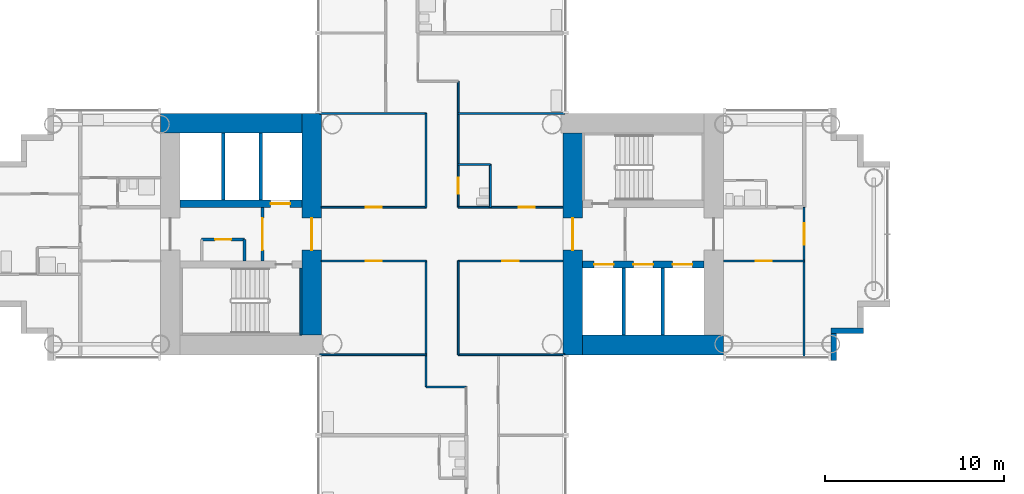
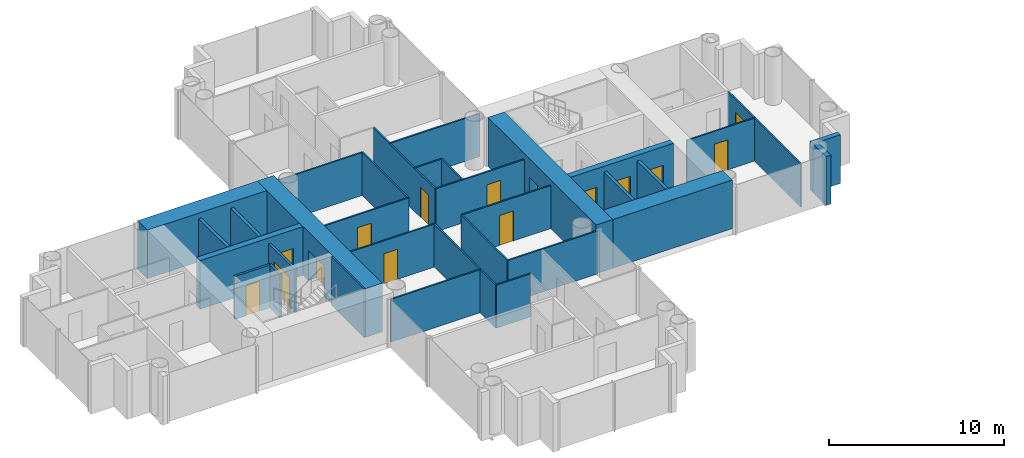
# One storey, part 10 of 21: 33 walls, 15 doors, 15 openings.
"""IFC4 building model written with IfcOpenShell, lengths in metres."""

import ifcopenshell
import ifcopenshell.guid

model = None  # the IFC model being written
_history = None  # IfcOwnerHistory: only IFC2X3 demands one
_inside = {}  # id of a spatial element -> (the spatial element, [elements in it])
_under = {}  # id of a project, library or spatial element -> (it, [spatial elements below it])
_declared = {}  # id of a project -> (the project, [libraries it declares])
_typed = {}  # id of a type object -> (the type object, [elements of that type])
_made_of = {}  # id of a material, layer set ... -> (it, [elements and type objects made of it])


def new_model(schema):
    """Start an empty IFC model of exactly this schema.

    Asked for "IFC4X3", IfcOpenShell would pick the latest addendum, in which some entities
    have other attributes; the version numbers below select the first issue.
    IFC2X3 requires an IfcOwnerHistory on every rooted entity: one is made here for all.
    """
    global model, _history
    if schema == "IFC4X3":
        model = ifcopenshell.file(schema_version=(4, 3, 0, 0))
    else:
        model = ifcopenshell.file(schema=schema)
    _inside.clear()
    _under.clear()
    _declared.clear()
    _typed.clear()
    _made_of.clear()
    _history = None
    if model.schema == "IFC2X3":
        org = make("IfcOrganization", Name="unknown")
        user = make(
            "IfcPersonAndOrganization",
            ThePerson=make("IfcPerson", FamilyName="unknown"),
            TheOrganization=org,
        )
        app = make(
            "IfcApplication",
            ApplicationDeveloper=org,
            Version="unknown",
            ApplicationFullName="unknown",
            ApplicationIdentifier="unknown",
        )
        _history = make(
            "IfcOwnerHistory",
            OwningUser=user,
            OwningApplication=app,
            ChangeAction="ADDED",
            CreationDate=0,
        )
    return model


def make(cls, **values):
    """One entity of the class cls with the attributes given. An attribute that is None is left unset."""
    return model.create_entity(
        cls, **{name: value for name, value in values.items() if value is not None}
    )


def rooted(cls, **values):
    """An entity with a GlobalId (a new one), such as an element, a storey or a relation."""
    return make(cls, GlobalId=ifcopenshell.guid.new(), OwnerHistory=_history, **values)


def si_unit(unit_type, name, prefix=None):
    """IfcSIUnit, for example si_unit("LENGTHUNIT", "METRE", prefix="MILLI")."""
    return make("IfcSIUnit", UnitType=unit_type, Prefix=prefix, Name=name)


def assignment(units):
    """IfcUnitAssignment: the units of a project."""
    return None if units is None else make("IfcUnitAssignment", Units=units)


def point(xyz):
    """IfcCartesianPoint."""
    return None if xyz is None else make("IfcCartesianPoint", Coordinates=xyz)


def direction(xyz):
    """IfcDirection."""
    return None if xyz is None else make("IfcDirection", DirectionRatios=xyz)


def frame(location, z_axis=None, x_axis=None):
    """IfcAxis2Placement3D, a coordinate frame: its origin and axes. An axis left out is left unset."""
    return make(
        "IfcAxis2Placement3D",
        Location=point(location),
        Axis=direction(z_axis),
        RefDirection=direction(x_axis),
    )


def frame_2d(location, x_axis=None):
    """IfcAxis2Placement2D, a coordinate frame in the plane: its origin and x axis."""
    return make(
        "IfcAxis2Placement2D", Location=point(location), RefDirection=direction(x_axis)
    )


def origin():
    """The frame at (0, 0, 0) with its axes left unset."""
    return frame((0.0, 0.0, 0.0))


def place(relative_to, where):
    """IfcLocalPlacement: puts the frame where relative to a parent placement (None: the world)."""
    return make(
        "IfcLocalPlacement", PlacementRelTo=relative_to, RelativePlacement=where
    )


def context(
    kind, dimensions, precision=None, world=None, true_north=None, identifier=None
):
    """IfcGeometricRepresentationContext, for example the 3D "Model" context."""
    return make(
        "IfcGeometricRepresentationContext",
        ContextIdentifier=identifier,
        ContextType=kind,
        CoordinateSpaceDimension=dimensions,
        Precision=precision,
        WorldCoordinateSystem=world,
        TrueNorth=true_north,
    )


def subcontext(parent, identifier, kind, view, scale=None):
    """IfcGeometricRepresentationSubContext, for example "Body" below "Model"."""
    return make(
        "IfcGeometricRepresentationSubContext",
        ContextIdentifier=identifier,
        ContextType=kind,
        ParentContext=parent,
        TargetScale=scale,
        TargetView=view,
    )


def project(units=None, contexts=None):
    """IfcProject with its units and contexts."""
    return rooted(
        "IfcProject",
        Name="project",
        RepresentationContexts=contexts,
        UnitsInContext=assignment(units),
    )


def spatial(cls, under=None, at=None, **own):
    """A site, building, storey or space (cls), placed at a placement, below another one or the project."""
    s = rooted(cls, ObjectPlacement=at, **own)
    if under is not None:
        _under.setdefault(under.id(), (under, []))[1].append(s)
    return s


def profile(cls, at=None, kind="AREA", **sizes):
    """A parametric profile (cls). Its sizes go by their IFC names, for example OverallWidth=200.0."""
    return make(cls, ProfileType=kind, Position=at, **sizes)


def rectangle(**sizes):
    """IfcRectangleProfileDef."""
    return profile("IfcRectangleProfileDef", **sizes)


def extrude(swept, where, along, depth):
    """IfcExtrudedAreaSolid: the profile swept, set in the frame where, extruded along a direction by depth."""
    return make(
        "IfcExtrudedAreaSolid",
        SweptArea=swept,
        Position=where,
        ExtrudedDirection=direction(along),
        Depth=depth,
    )


def shape(context_of_items, identifier, shape_type, items):
    """IfcShapeRepresentation: the items that make up one representation, for example the "Body"."""
    return make(
        "IfcShapeRepresentation",
        ContextOfItems=context_of_items,
        RepresentationIdentifier=identifier,
        RepresentationType=shape_type,
        Items=items,
    )


def material(Name=None, Category=None):
    """IfcMaterial."""
    return make("IfcMaterial", Name=Name, Category=Category)


def layer(
    of_material, thickness, ventilated=None, Name=None, Category=None, Priority=None
):
    """IfcMaterialLayer: one layer of a wall or slab, of a material (None: an air gap)."""
    return make(
        "IfcMaterialLayer",
        Material=of_material,
        LayerThickness=thickness,
        IsVentilated=ventilated,
        Name=Name,
        Category=Category,
        Priority=Priority,
    )


def layer_set(layers, Name=None):
    """IfcMaterialLayerSet."""
    return make("IfcMaterialLayerSet", MaterialLayers=layers, LayerSetName=Name)


def made_of(thing, what):
    """Note that an element or type object is made of a material, layer set ...; save() writes the relation."""
    if what is not None:
        _made_of.setdefault(what.id(), (what, []))[1].append(thing)
    return thing


def type_object(cls, material=None, **own):
    """A type object (cls), such as IfcWallType, which elements share."""
    return made_of(rooted(cls, **own), material)


def element(
    cls,
    number,
    at=None,
    inside=None,
    cuts=None,
    type_object=None,
    material=None,
    context=None,
    identifier="Body",
    shape_type=None,
    held_by="IfcProductDefinitionShape",
    body=None,
    shapes=None,
    **own,
):
    """One element of the class cls, such as IfcWall. Its Tag is "e" and its number.

    at: its placement. inside: the storey or other place that contains it. cuts: it is an
    opening in that element (IfcRelVoidsElement). A single representation is given by context,
    identifier, shape_type and body (its items); several are given by shapes. held_by: the class
    of the entity that holds the representations. save() writes the other relations.
    """
    e = rooted(cls, Tag="e%d" % number, ObjectPlacement=at, **own)
    if body is not None:
        shapes = [shape(context, identifier, shape_type, body)]
    if shapes is not None:
        e.Representation = make(held_by, Representations=shapes)
    if inside is not None:
        _inside.setdefault(inside.id(), (inside, []))[1].append(e)
    if cuts is not None:
        rooted(
            "IfcRelVoidsElement", RelatingBuildingElement=cuts, RelatedOpeningElement=e
        )
    if type_object is not None:
        _typed.setdefault(type_object.id(), (type_object, []))[1].append(e)
    return made_of(e, material)


def fill(opening, filler):
    """IfcRelFillsElement: the door or window that sits in an opening."""
    return rooted(
        "IfcRelFillsElement",
        RelatingOpeningElement=opening,
        RelatedBuildingElement=filler,
    )


def aggregate(whole, parts):
    """IfcRelAggregates: a whole, such as a stair, and the parts it consists of."""
    return rooted("IfcRelAggregates", RelatingObject=whole, RelatedObjects=parts)


def save(model, path):
    """Write the relations noted so far, then the file.

    IfcRelAggregates (storeys below a building ...), IfcRelContainedInSpatialStructure (elements
    in a storey), IfcRelDefinesByType, IfcRelAssociatesMaterial and IfcRelDeclares: one each for
    every whole, place, type object, material and project.
    """
    for whole, parts in _under.values():
        aggregate(whole, parts)
    for where, things in _inside.values():
        rooted(
            "IfcRelContainedInSpatialStructure",
            RelatedElements=things,
            RelatingStructure=where,
        )
    for kind, things in _typed.values():
        rooted("IfcRelDefinesByType", RelatedObjects=things, RelatingType=kind)
    for what, things in _made_of.values():
        rooted("IfcRelAssociatesMaterial", RelatedObjects=things, RelatingMaterial=what)
    for by, libraries in _declared.values():
        rooted("IfcRelDeclares", RelatingContext=by, RelatedDefinitions=libraries)
    model.write(path)


model = new_model("IFC4")

# Units and contexts
model_context = context("Model", 3, precision=1e-05, world=origin(), true_north=direction((0.0, 1.0)))
body_context = subcontext(model_context, "Body", "Model", "MODEL_VIEW")
ifc_project = project(units=[si_unit("LENGTHUNIT", "METRE"), si_unit("AREAUNIT", "SQUARE_METRE"), si_unit("VOLUMEUNIT", "CUBIC_METRE"), si_unit("PLANEANGLEUNIT", "RADIAN"), si_unit("MASSUNIT", "GRAM", prefix="KILO")], contexts=[model_context])

# Site, building, storey
site_placement = place(None, origin())
site = spatial("IfcSite", under=ifc_project, at=site_placement, CompositionType="ELEMENT")
building_placement = place(site_placement, origin())
building = spatial("IfcBuilding", under=site, at=building_placement, Name="Ipe Terrace Towers", CompositionType="ELEMENT")
storey_placement = place(building_placement, frame((0.0, 0.0, 48.300048828125)))
storey = spatial("IfcBuildingStorey", under=building, at=storey_placement, Name="L12", CompositionType="ELEMENT", Elevation=48.300048828125)

# Walls
ifc_material_1 = material(Name="Concrete C40/50 with buff precast cladding", Category="concrete")
ifc_layer_1 = layer(ifc_material_1, 0.320068359375)
ifc_layer_set_1 = layer_set([ifc_layer_1], Name="BUFF CLADDING WALL 320")
wall_type_1 = type_object("IfcWallType", Name="BUFF CLADDING WALL 320", PredefinedType="STANDARD", material=ifc_layer_set_1)
wall_1_placement = place(storey_placement, frame((-14.090087890625, -7.070068359375, -0.300048828125), z_axis=(0.0, 0.0, 1.0), x_axis=(0.0, 1.0, 0.0)))
element("IfcWall", 1, at=wall_1_placement, inside=storey, type_object=wall_type_1, Name="T1-W-L12-21a wall", PredefinedType="STANDARD", context=body_context, shape_type="SweptSolid", body=[
    extrude(rectangle(XDim=1.5, YDim=0.320068359375, at=frame_2d((0.75, 0.0))), origin(), (0.0, 0.0, 1.0), 3.39990234375),
])
wall_2_placement = place(storey_placement, frame((-14.25, -5.409912109375, -0.300048828125), z_axis=(0.0, 0.0, 1.0), x_axis=(1.0, 0.0, 0.0)))
element("IfcWall", 2, at=wall_2_placement, inside=storey, type_object=wall_type_1, Name="T1-W-L12-22a wall", PredefinedType="STANDARD", context=body_context, shape_type="SweptSolid", body=[
    extrude(rectangle(XDim=1.820068359375, YDim=0.320068359375, at=frame_2d((0.91015625, 0.0))), origin(), (0.0, 0.0, 1.0), 3.39990234375),
])
ifc_material_2 = material(Name="Gypsum board partition", Category="plasterboard")
ifc_layer_2 = layer(ifc_material_2, 0.10009765625)
ifc_layer_set_2 = layer_set([ifc_layer_2], Name="Gypsum board partition 100 mm")
wall_type_2 = type_object("IfcWallType", Name="Gypsum board partition 100 mm", PredefinedType="PARTITIONING", material=ifc_layer_set_2)
wall_3_placement = place(storey_placement, frame((-36.89990234375, -8.550048828125, 0.0), z_axis=(0.0, 0.0, 1.0), x_axis=(0.0, 1.0, 0.0)))
element("IfcWall", 3, at=wall_3_placement, inside=storey, type_object=wall_type_2, Name="Gypsum board partition T1 L12 W07", PredefinedType="PARTITIONING", context=body_context, shape_type="SweptSolid", body=[
    extrude(rectangle(XDim=7.050048828125, YDim=0.10009765625, at=frame_2d((3.52490234375, 0.0))), origin(), (0.0, 0.0, 1.0), 3.0),
])
for number, where, z_axis, x_axis, name in (
    (4, (-36.89990234375, 1.5, 0.0), (0.0, 0.0, 1.0), (0.0, 1.0, 0.0), "Gypsum board partition T1 L12 W08"),
    (5, (-35.10009765625, -6.75, 0.0), (0.0, 0.0, 1.0), (0.0, 1.0, 0.0), "Gypsum board partition T1 L12 W11"),
):
    element("IfcWall", number, at=place(storey_placement, frame(where, z_axis=z_axis, x_axis=x_axis)), inside=storey, type_object=wall_type_2, Name=name, PredefinedType="PARTITIONING", context=body_context, shape_type="SweptSolid", body=[
        extrude(rectangle(XDim=5.25, YDim=0.10009765625, at=frame_2d((2.625, 0.0))), origin(), (0.0, 0.0, 1.0), 3.0),
    ])

# Wall, opening, door
wall_4_placement = place(storey_placement, frame((-35.10009765625, 1.5, 0.0), z_axis=(0.0, 0.0, 1.0), x_axis=(0.0, 1.0, 0.0)))
wall_4 = element("IfcWall", 6, at=wall_4_placement, inside=storey, type_object=wall_type_2, Name="Gypsum board partition T1 L12 W12", PredefinedType="PARTITIONING", context=body_context, shape_type="SweptSolid", body=[
    extrude(rectangle(XDim=7.050048828125, YDim=0.10009765625, at=frame_2d((3.52490234375, 0.0))), origin(), (0.0, 0.0, 1.0), 3.0),
])
opening_1_placement = place(wall_4_placement, frame((0.75, 0.0, 0.0)))
opening_1 = element("IfcOpeningElement", 7, at=opening_1_placement, cuts=wall_4, Name="Opening T1-Z1C-01", PredefinedType="OPENING", context=body_context, shape_type="SweptSolid", body=[
    extrude(rectangle(XDim=0.89990234375, YDim=2.10009765625, at=frame_2d((0.449951171875, 1.050048828125))), frame((0.0, 0.06005859375, 0.0), z_axis=(0.0, -1.0, 0.0), x_axis=(1.0, 0.0, 0.0)), (0.0, 0.0, 1.0), 0.1201171875),
])
ifc_material_3 = material(Name="Timber door leaf", Category="wood")
door_type_1 = type_object("IfcDoorType", Name="Bathroom door 900 x 2100", OperationType="NOTDEFINED", PredefinedType="DOOR", material=ifc_material_3)
door_1_placement = place(opening_1_placement, origin())
door_1 = element("IfcDoor", 8, at=door_1_placement, inside=storey, type_object=door_type_1, Name="Bathroom door T1-Z1C-01", OperationType="SINGLE_SWING_LEFT", OverallHeight=2.10009765625, OverallWidth=0.89990234375, PredefinedType="DOOR", context=body_context, shape_type="SweptSolid", body=[
    extrude(rectangle(XDim=0.89990234375, YDim=2.10009765625, at=frame_2d((0.449951171875, 1.050048828125))), frame((0.0, 0.02490234375, 0.0), z_axis=(0.0, -1.0, 0.0), x_axis=(1.0, 0.0, 0.0)), (0.0, 0.0, 1.0), 0.050048828125),
])
fill(opening_1, door_1)

# Wall
wall_5_placement = place(storey_placement, frame((-33.300048828125, 1.5, 0.0), z_axis=(0.0, 0.0, 1.0), x_axis=(0.0, 1.0, 0.0)))
element("IfcWall", 9, at=wall_5_placement, inside=storey, type_object=wall_type_2, Name="Gypsum board partition T1 L12 W15", PredefinedType="PARTITIONING", context=body_context, shape_type="SweptSolid", body=[
    extrude(rectangle(XDim=2.39990234375, YDim=0.10009765625, at=frame_2d((1.199951171875, 0.0))), origin(), (0.0, 0.0, 1.0), 3.0),
])

# Wall, opening, door
wall_6_placement = place(storey_placement, frame((-15.75, -6.85009765625, 0.0), z_axis=(0.0, 0.0, 1.0), x_axis=(0.0, 1.0, 0.0)))
wall_6 = element("IfcWall", 10, at=wall_6_placement, inside=storey, type_object=wall_type_2, Name="Gypsum board partition T1 L12 W18", PredefinedType="PARTITIONING", context=body_context, shape_type="SweptSolid", body=[
    extrude(rectangle(XDim=8.35009765625, YDim=0.10009765625, at=frame_2d((4.175048828125, 0.0))), origin(), (0.0, 0.0, 1.0), 3.0),
])
opening_2_placement = place(wall_6_placement, frame((6.25, 0.0, 0.0)))
opening_2 = element("IfcOpeningElement", 11, at=opening_2_placement, cuts=wall_6, Name="Opening T1-Z1C-21", PredefinedType="OPENING", context=body_context, shape_type="SweptSolid", body=[
    extrude(rectangle(XDim=1.199951171875, YDim=2.10009765625, at=frame_2d((0.60009765625, 1.050048828125))), frame((0.0, 0.06005859375, 0.0), z_axis=(0.0, -1.0, 0.0), x_axis=(1.0, 0.0, 0.0)), (0.0, 0.0, 1.0), 0.1201171875),
])
ifc_material_4 = material(Name="Timber door leaf", Category="wood")
door_type_2 = type_object("IfcDoorType", Name="Lounge door 1200 x 2100", OperationType="NOTDEFINED", PredefinedType="DOOR", material=ifc_material_4)
door_2_placement = place(opening_2_placement, origin())
door_2 = element("IfcDoor", 12, at=door_2_placement, inside=storey, type_object=door_type_2, Name="Lounge door T1-Z1C-21", OperationType="SINGLE_SWING_RIGHT", OverallHeight=2.10009765625, OverallWidth=1.199951171875, PredefinedType="DOOR", context=body_context, shape_type="SweptSolid", body=[
    extrude(rectangle(XDim=1.199951171875, YDim=2.10009765625, at=frame_2d((0.60009765625, 1.050048828125))), frame((0.0, 0.02490234375, 0.0), z_axis=(0.0, -1.0, 0.0), x_axis=(1.0, 0.0, 0.0)), (0.0, 0.0, 1.0), 0.050048828125),
])
fill(opening_2, door_2)

# Walls
wall_7_placement = place(storey_placement, frame((-36.89990234375, -8.550048828125, 0.0), z_axis=(0.0, 0.0, 1.0), x_axis=(1.0, 0.0, 0.0)))
element("IfcWall", 13, at=wall_7_placement, inside=storey, type_object=wall_type_2, Name="Gypsum board partition T1 L12 W25", PredefinedType="PARTITIONING", context=body_context, shape_type="SweptSolid", body=[
    extrude(rectangle(XDim=2.25, YDim=0.10009765625, at=frame_2d((1.125, 0.0))), origin(), (0.0, 0.0, 1.0), 3.0),
])
for number, where, z_axis, x_axis, name in (
    (14, (-42.85009765625, -6.75, 0.0), (0.0, 0.0, 1.0), (1.0, 0.0, 0.0), "Gypsum board partition T1 L12 W26"),
    (15, (-35.10009765625, -6.75, 0.0), (0.0, 0.0, 1.0), (1.0, 0.0, 0.0), "Gypsum board partition T1 L12 W27"),
):
    element("IfcWall", number, at=place(storey_placement, frame(where, z_axis=z_axis, x_axis=x_axis)), inside=storey, type_object=wall_type_2, Name=name, PredefinedType="PARTITIONING", context=body_context, shape_type="SweptSolid", body=[
        extrude(rectangle(XDim=5.9501953125, YDim=0.10009765625, at=frame_2d((2.97509765625, 0.0))), origin(), (0.0, 0.0, 1.0), 3.0),
    ])

# Wall, opening, door
wall_8_placement = place(storey_placement, frame((-42.75, -1.5, 0.0), z_axis=(0.0, 0.0, 1.0), x_axis=(1.0, 0.0, 0.0)))
wall_8 = element("IfcWall", 16, at=wall_8_placement, inside=storey, type_object=wall_type_2, Name="Gypsum board partition T1 L12 W30", PredefinedType="PARTITIONING", context=body_context, shape_type="SweptSolid", body=[
    extrude(rectangle(XDim=5.85009765625, YDim=0.10009765625, at=frame_2d((2.925048828125, 0.0))), origin(), (0.0, 0.0, 1.0), 3.0),
])
opening_3_placement = place(wall_8_placement, frame((2.47509765625, 0.0, 0.0)))
opening_3 = element("IfcOpeningElement", 17, at=opening_3_placement, cuts=wall_8, Name="Opening T1-Z1C-04", PredefinedType="OPENING", context=body_context, shape_type="SweptSolid", body=[
    extrude(rectangle(XDim=0.89990234375, YDim=2.10009765625, at=frame_2d((0.449951171875, 1.050048828125))), frame((0.0, 0.06005859375, 0.0), z_axis=(0.0, -1.0, 0.0), x_axis=(1.0, 0.0, 0.0)), (0.0, 0.0, 1.0), 0.1201171875),
])
ifc_material_5 = material(Name="Timber door leaf", Category="wood")
door_type_3 = type_object("IfcDoorType", Name="Lounge door 900 x 2100", OperationType="NOTDEFINED", PredefinedType="DOOR", material=ifc_material_5)
door_3_placement = place(opening_3_placement, origin())
door_3 = element("IfcDoor", 18, at=door_3_placement, inside=storey, type_object=door_type_3, Name="Lounge door T1-Z1C-04", OperationType="SINGLE_SWING_LEFT", OverallHeight=2.10009765625, OverallWidth=0.89990234375, PredefinedType="DOOR", context=body_context, shape_type="SweptSolid", body=[
    extrude(rectangle(XDim=0.89990234375, YDim=2.10009765625, at=frame_2d((0.449951171875, 1.050048828125))), frame((0.0, 0.02490234375, 0.0), z_axis=(0.0, -1.0, 0.0), x_axis=(1.0, 0.0, 0.0)), (0.0, 0.0, 1.0), 0.050048828125),
])
fill(opening_3, door_3)

wall_9_placement = place(storey_placement, frame((-35.10009765625, -1.5, 0.0), z_axis=(0.0, 0.0, 1.0), x_axis=(1.0, 0.0, 0.0)))
wall_9 = element("IfcWall", 19, at=wall_9_placement, inside=storey, type_object=wall_type_2, Name="Gypsum board partition T1 L12 W31", PredefinedType="PARTITIONING", context=body_context, shape_type="SweptSolid", body=[
    extrude(rectangle(XDim=5.85009765625, YDim=0.10009765625, at=frame_2d((2.925048828125, 0.0))), origin(), (0.0, 0.0, 1.0), 3.0),
])
opening_4_placement = place(wall_9_placement, frame((2.47509765625, 0.0, 0.0)))
opening_4 = element("IfcOpeningElement", 20, at=opening_4_placement, cuts=wall_9, Name="Opening T1-Z1C-05", PredefinedType="OPENING", context=body_context, shape_type="SweptSolid", body=[
    extrude(rectangle(XDim=0.89990234375, YDim=2.10009765625, at=frame_2d((0.449951171875, 1.050048828125))), frame((0.0, 0.06005859375, 0.0), z_axis=(0.0, -1.0, 0.0), x_axis=(1.0, 0.0, 0.0)), (0.0, 0.0, 1.0), 0.1201171875),
])
door_4_placement = place(opening_4_placement, origin())
door_4 = element("IfcDoor", 21, at=door_4_placement, inside=storey, type_object=door_type_3, Name="Lounge door T1-Z1C-05", OperationType="SINGLE_SWING_RIGHT", OverallHeight=2.10009765625, OverallWidth=0.89990234375, PredefinedType="DOOR", context=body_context, shape_type="SweptSolid", body=[
    extrude(rectangle(XDim=0.89990234375, YDim=2.10009765625, at=frame_2d((0.449951171875, 1.050048828125))), frame((0.0, 0.02490234375, 0.0), z_axis=(0.0, -1.0, 0.0), x_axis=(1.0, 0.0, 0.0)), (0.0, 0.0, 1.0), 0.050048828125),
])
fill(opening_4, door_4)

wall_10_placement = place(storey_placement, frame((-20.25, -1.5, 0.0), z_axis=(0.0, 0.0, 1.0), x_axis=(1.0, 0.0, 0.0)))
wall_10 = element("IfcWall", 22, at=wall_10_placement, inside=storey, type_object=wall_type_2, Name="Gypsum board partition T1 L12 W32", PredefinedType="PARTITIONING", context=body_context, shape_type="SweptSolid", body=[
    extrude(rectangle(XDim=4.5, YDim=0.10009765625, at=frame_2d((2.25, 0.0))), origin(), (0.0, 0.0, 1.0), 3.0),
])
opening_5_placement = place(wall_10_placement, frame((1.800048828125, 0.0, 0.0)))
opening_5 = element("IfcOpeningElement", 23, at=opening_5_placement, cuts=wall_10, Name="Opening T1-Z1C-20", PredefinedType="OPENING", context=body_context, shape_type="SweptSolid", body=[
    extrude(rectangle(XDim=0.89990234375, YDim=2.10009765625, at=frame_2d((0.449951171875, 1.050048828125))), frame((0.0, 0.06005859375, 0.0), z_axis=(0.0, -1.0, 0.0), x_axis=(1.0, 0.0, 0.0)), (0.0, 0.0, 1.0), 0.1201171875),
])
door_5_placement = place(opening_5_placement, origin())
door_5 = element("IfcDoor", 24, at=door_5_placement, inside=storey, type_object=door_type_3, Name="Lounge door T1-Z1C-20", OperationType="SINGLE_SWING_RIGHT", OverallHeight=2.10009765625, OverallWidth=0.89990234375, PredefinedType="DOOR", context=body_context, shape_type="SweptSolid", body=[
    extrude(rectangle(XDim=0.89990234375, YDim=2.10009765625, at=frame_2d((0.449951171875, 1.050048828125))), frame((0.0, 0.02490234375, 0.0), z_axis=(0.0, -1.0, 0.0), x_axis=(1.0, 0.0, 0.0)), (0.0, 0.0, 1.0), 0.050048828125),
])
fill(opening_5, door_5)

wall_11_placement = place(storey_placement, frame((-42.75, 1.5, 0.0), z_axis=(0.0, 0.0, 1.0), x_axis=(1.0, 0.0, 0.0)))
wall_11 = element("IfcWall", 25, at=wall_11_placement, inside=storey, type_object=wall_type_2, Name="Gypsum board partition T1 L12 W34", PredefinedType="PARTITIONING", context=body_context, shape_type="SweptSolid", body=[
    extrude(rectangle(XDim=5.85009765625, YDim=0.10009765625, at=frame_2d((2.925048828125, 0.0))), origin(), (0.0, 0.0, 1.0), 3.0),
])
opening_6_placement = place(wall_11_placement, frame((2.47509765625, 0.0, 0.0)))
opening_6 = element("IfcOpeningElement", 26, at=opening_6_placement, cuts=wall_11, Name="Opening T1-Z1C-03", PredefinedType="OPENING", context=body_context, shape_type="SweptSolid", body=[
    extrude(rectangle(XDim=0.89990234375, YDim=2.10009765625, at=frame_2d((0.449951171875, 1.050048828125))), frame((0.0, 0.06005859375, 0.0), z_axis=(0.0, -1.0, 0.0), x_axis=(1.0, 0.0, 0.0)), (0.0, 0.0, 1.0), 0.1201171875),
])
door_6_placement = place(opening_6_placement, origin())
door_6 = element("IfcDoor", 27, at=door_6_placement, inside=storey, type_object=door_type_3, Name="Lounge door T1-Z1C-03", OperationType="SINGLE_SWING_RIGHT", OverallHeight=2.10009765625, OverallWidth=0.89990234375, PredefinedType="DOOR", context=body_context, shape_type="SweptSolid", body=[
    extrude(rectangle(XDim=0.89990234375, YDim=2.10009765625, at=frame_2d((0.449951171875, 1.050048828125))), frame((0.0, 0.02490234375, 0.0), z_axis=(0.0, -1.0, 0.0), x_axis=(1.0, 0.0, 0.0)), (0.0, 0.0, 1.0), 0.050048828125),
])
fill(opening_6, door_6)

wall_12_placement = place(storey_placement, frame((-35.10009765625, 1.5, 0.0), z_axis=(0.0, 0.0, 1.0), x_axis=(1.0, 0.0, 0.0)))
wall_12 = element("IfcWall", 28, at=wall_12_placement, inside=storey, type_object=wall_type_2, Name="Gypsum board partition T1 L12 W35", PredefinedType="PARTITIONING", context=body_context, shape_type="SweptSolid", body=[
    extrude(rectangle(XDim=5.85009765625, YDim=0.10009765625, at=frame_2d((2.925048828125, 0.0))), origin(), (0.0, 0.0, 1.0), 3.0),
])
opening_7_placement = place(wall_12_placement, frame((3.375, 0.0, 0.0)))
opening_7 = element("IfcOpeningElement", 29, at=opening_7_placement, cuts=wall_12, Name="Opening T1-Z1C-02", PredefinedType="OPENING", context=body_context, shape_type="SweptSolid", body=[
    extrude(rectangle(XDim=0.89990234375, YDim=2.10009765625, at=frame_2d((0.449951171875, 1.050048828125))), frame((0.0, 0.06005859375, 0.0), z_axis=(0.0, -1.0, 0.0), x_axis=(1.0, 0.0, 0.0)), (0.0, 0.0, 1.0), 0.1201171875),
])
door_7_placement = place(opening_7_placement, origin())
door_7 = element("IfcDoor", 30, at=door_7_placement, inside=storey, type_object=door_type_3, Name="Lounge door T1-Z1C-02", OperationType="SINGLE_SWING_LEFT", OverallHeight=2.10009765625, OverallWidth=0.89990234375, PredefinedType="DOOR", context=body_context, shape_type="SweptSolid", body=[
    extrude(rectangle(XDim=0.89990234375, YDim=2.10009765625, at=frame_2d((0.449951171875, 1.050048828125))), frame((0.0, 0.02490234375, 0.0), z_axis=(0.0, -1.0, 0.0), x_axis=(1.0, 0.0, 0.0)), (0.0, 0.0, 1.0), 0.050048828125),
])
fill(opening_7, door_7)

# Walls
wall_13_placement = place(storey_placement, frame((-35.10009765625, 3.89990234375, 0.0), z_axis=(0.0, 0.0, 1.0), x_axis=(1.0, 0.0, 0.0)))
element("IfcWall", 31, at=wall_13_placement, inside=storey, type_object=wall_type_2, Name="Gypsum board partition T1 L12 W41", PredefinedType="PARTITIONING", context=body_context, shape_type="SweptSolid", body=[
    extrude(rectangle(XDim=1.800048828125, YDim=0.10009765625, at=frame_2d((0.89990234375, 0.0))), origin(), (0.0, 0.0, 1.0), 3.0),
])
for number, where, z_axis, x_axis, name in (
    (32, (-42.85009765625, 6.75, 0.0), (0.0, 0.0, 1.0), (1.0, 0.0, 0.0), "Gypsum board partition T1 L12 W42"),
    (33, (-35.10009765625, 6.75, 0.0), (0.0, 0.0, 1.0), (1.0, 0.0, 0.0), "Gypsum board partition T1 L12 W43"),
):
    element("IfcWall", number, at=place(storey_placement, frame(where, z_axis=z_axis, x_axis=x_axis)), inside=storey, type_object=wall_type_2, Name=name, PredefinedType="PARTITIONING", context=body_context, shape_type="SweptSolid", body=[
        extrude(rectangle(XDim=5.9501953125, YDim=0.10009765625, at=frame_2d((2.97509765625, 0.0))), origin(), (0.0, 0.0, 1.0), 3.0),
    ])

# Wall, opening, door
ifc_material_6 = material(Name="Gypsum board partition", Category="plasterboard")
ifc_layer_3 = layer(ifc_material_6, 0.14990234375)
ifc_layer_set_3 = layer_set([ifc_layer_3], Name="Gypsum board partition 150 mm")
wall_type_3 = type_object("IfcWallType", Name="Gypsum board partition 150 mm", PredefinedType="PARTITIONING", material=ifc_layer_set_3)
wall_14_placement = place(storey_placement, frame((-46.050048828125, 1.5, 0.0), z_axis=(0.0, 0.0, 1.0), x_axis=(0.0, -1.0, 0.0)))
wall_14 = element("IfcWall", 34, at=wall_14_placement, inside=storey, type_object=wall_type_3, Name="Gypsum board partition T1 L12 t1c2-lobby-wall", PredefinedType="PARTITIONING", context=body_context, shape_type="SweptSolid", body=[
    extrude(rectangle(XDim=3.0, YDim=0.14990234375, at=frame_2d((1.5, 0.0))), origin(), (0.0, 0.0, 1.0), 3.0),
])
opening_8_placement = place(wall_14_placement, frame((0.60009765625, 0.0, 0.0)))
opening_8 = element("IfcOpeningElement", 35, at=opening_8_placement, cuts=wall_14, Name="Opening T1C2-VD", PredefinedType="OPENING", context=body_context, shape_type="SweptSolid", body=[
    extrude(rectangle(XDim=1.800048828125, YDim=2.10009765625, at=frame_2d((0.89990234375, 1.050048828125))), frame((0.0, 0.0849609375, 0.0), z_axis=(0.0, -1.0, 0.0), x_axis=(1.0, 0.0, 0.0)), (0.0, 0.0, 1.0), 0.169921875),
])
ifc_material_7 = material(Name="Fire-rated timber door leaf", Category="wood")
door_type_4 = type_object("IfcDoorType", Name="Lobby door 1800 x 2100 FD60", OperationType="NOTDEFINED", PredefinedType="DOOR", material=ifc_material_7)
door_8_placement = place(opening_8_placement, origin())
door_8 = element("IfcDoor", 36, at=door_8_placement, inside=storey, type_object=door_type_4, Name="Lobby door T1C2-VD", OperationType="SINGLE_SWING_LEFT", OverallHeight=2.10009765625, OverallWidth=1.800048828125, PredefinedType="DOOR", context=body_context, shape_type="SweptSolid", body=[
    extrude(rectangle(XDim=1.800048828125, YDim=2.10009765625, at=frame_2d((0.89990234375, 1.050048828125))), frame((0.0, 0.02490234375, 0.0), z_axis=(0.0, -1.0, 0.0), x_axis=(1.0, 0.0, 0.0)), (0.0, 0.0, 1.0), 0.050048828125),
])
fill(opening_8, door_8)

wall_15_placement = place(storey_placement, frame((-47.050048828125, -0.300048828125, 0.0), z_axis=(0.0, 0.0, 1.0), x_axis=(-1.0, 0.0, 0.0)))
wall_15 = element("IfcWall", 37, at=wall_15_placement, inside=storey, type_object=wall_type_3, Name="Gypsum board partition T1 L12 t1c2-cup-n-f", PredefinedType="PARTITIONING", context=body_context, shape_type="SweptSolid", body=[
    extrude(rectangle(XDim=2.39990234375, YDim=0.14990234375, at=frame_2d((1.199951171875, 0.0))), origin(), (0.0, 0.0, 1.0), 3.0),
])
opening_9_placement = place(wall_15_placement, frame((0.75, 0.0, 0.0)))
opening_9 = element("IfcOpeningElement", 38, at=opening_9_placement, cuts=wall_15, Name="Opening T1C2-SR", PredefinedType="OPENING", context=body_context, shape_type="SweptSolid", body=[
    extrude(rectangle(XDim=0.89990234375, YDim=2.10009765625, at=frame_2d((0.449951171875, 1.050048828125))), frame((0.0, 0.0849609375, 0.0), z_axis=(0.0, -1.0, 0.0), x_axis=(1.0, 0.0, 0.0)), (0.0, 0.0, 1.0), 0.169921875),
])
ifc_material_8 = material(Name="Fire-rated timber door leaf", Category="wood")
door_type_5 = type_object("IfcDoorType", Name="Service door 900 x 2100 FD60", OperationType="NOTDEFINED", PredefinedType="DOOR", material=ifc_material_8)
door_9_placement = place(opening_9_placement, origin())
door_9 = element("IfcDoor", 39, at=door_9_placement, inside=storey, type_object=door_type_5, Name="Service door T1C2-SR", OperationType="SINGLE_SWING_LEFT", OverallHeight=2.10009765625, OverallWidth=0.89990234375, PredefinedType="DOOR", context=body_context, shape_type="SweptSolid", body=[
    extrude(rectangle(XDim=0.89990234375, YDim=2.10009765625, at=frame_2d((0.449951171875, 1.050048828125))), frame((0.0, 0.02490234375, 0.0), z_axis=(0.0, -1.0, 0.0), x_axis=(1.0, 0.0, 0.0)), (0.0, 0.0, 1.0), 0.050048828125),
])
fill(opening_9, door_9)

# Walls
wall_16_placement = place(storey_placement, frame((-47.050048828125, -0.300048828125, 0.0), z_axis=(0.0, 0.0, 1.0), x_axis=(0.0, -1.0, 0.0)))
element("IfcWall", 40, at=wall_16_placement, inside=storey, type_object=wall_type_3, Name="Gypsum board partition T1 L12 t1c2-cup-n-a", PredefinedType="PARTITIONING", context=body_context, shape_type="SweptSolid", body=[
    extrude(rectangle(XDim=1.199951171875, YDim=0.14990234375, at=frame_2d((0.60009765625, 0.0))), origin(), (0.0, 0.0, 1.0), 3.0),
])
ifc_material_9 = material(Name="Gypsum board party wall", Category="plasterboard")
ifc_layer_4 = layer(ifc_material_9, 0.199951171875)
ifc_layer_set_4 = layer_set([ifc_layer_4], Name="Gypsum board party wall 200 mm")
wall_type_4 = type_object("IfcWallType", Name="Gypsum board party wall 200 mm", PredefinedType="SOLIDWALL", material=ifc_layer_set_4)
for number, where, z_axis, x_axis, name in (
    (41, (-25.85009765625, -5.64990234375, 0.0), (0.0, 0.0, 1.0), (0.0, 1.0, 0.0), "Gypsum board party wall T1 L12 t1c1-shaft-div1"),
    (42, (-23.64990234375, -5.64990234375, 0.0), (0.0, 0.0, 1.0), (0.0, 1.0, 0.0), "Gypsum board party wall T1 L12 t1c1-shaft-div2"),
    (43, (-46.14990234375, 5.64990234375, 0.0), (0.0, 0.0, 1.0), (0.0, -1.0, 0.0), "Gypsum board party wall T1 L12 t1c2-shaft-div1"),
    (44, (-48.25, 5.64990234375, 0.0), (0.0, 0.0, 1.0), (0.0, -1.0, 0.0), "Gypsum board party wall T1 L12 t1c2-shaft-div2"),
):
    element("IfcWall", number, at=place(storey_placement, frame(where, z_axis=z_axis, x_axis=x_axis)), inside=storey, type_object=wall_type_4, Name=name, PredefinedType="SOLIDWALL", context=body_context, shape_type="SweptSolid", body=[
        extrude(rectangle(XDim=3.75, YDim=0.199951171875, at=frame_2d((1.875, 0.0))), origin(), (0.0, 0.0, 1.0), 3.0),
    ])
ifc_material_10 = material(Name="Concrete C60/75", Category="concrete")
ifc_layer_5 = layer(ifc_material_10, 0.10009765625)
ifc_layer_set_5 = layer_set([ifc_layer_5], Name="RW100 CORE INFILL WALL 100 C60-75")
wall_type_5 = type_object("IfcWallType", Name="RW100 CORE INFILL WALL 100 C60-75", PredefinedType="SHEAR", material=ifc_layer_set_5)
wall_17_placement = place(storey_placement, frame((-43.89990234375, -1.89990234375, 0.0), z_axis=(0.0, 0.0, 1.0), x_axis=(0.0, -1.0, 0.0)))
element("IfcWall", 45, at=wall_17_placement, inside=storey, type_object=wall_type_5, Name="Core infill wall T1-C2-near", PredefinedType="SHEAR", context=body_context, shape_type="SweptSolid", body=[
    extrude(rectangle(XDim=3.75, YDim=0.10009765625, at=frame_2d((1.875, 0.0))), origin(), (0.0, 0.0, 1.0), 3.39990234375),
])
ifc_material_11 = material(Name="Concrete C60/75", Category="concrete")
ifc_layer_6 = layer(ifc_material_11, 1.10009765625)
ifc_layer_set_6 = layer_set([ifc_layer_6], Name="RW1100 CORE WALL 1100 C60-75")
wall_type_6 = type_object("IfcWallType", Name="RW1100 CORE WALL 1100 C60-75", PredefinedType="SHEAR", material=ifc_layer_set_6)
wall_18_placement = place(storey_placement, frame((-28.14990234375, -6.199951171875, 0.0), z_axis=(0.0, 0.0, 1.0), x_axis=(1.0, 0.0, 0.0)))
element("IfcWall", 46, at=wall_18_placement, inside=storey, type_object=wall_type_6, Name="Core wall T1-C1-Z1-W01", PredefinedType="SHEAR", context=body_context, shape_type="SweptSolid", body=[
    extrude(rectangle(XDim=7.89990234375, YDim=1.10009765625, at=frame_2d((3.949951171875, 0.0))), origin(), (0.0, 0.0, 1.0), 3.39990234375),
])

# Wall, opening, door
wall_19_placement = place(storey_placement, frame((-28.699951171875, 5.64990234375, 0.0), z_axis=(0.0, 0.0, 1.0), x_axis=(0.0, -1.0, 0.0)))
wall_19 = element("IfcWall", 47, at=wall_19_placement, inside=storey, type_object=wall_type_6, Name="Core wall T1-C1-Z1-W04", PredefinedType="SHEAR", context=body_context, shape_type="SweptSolid", body=[
    extrude(rectangle(XDim=12.39990234375, YDim=1.10009765625, at=frame_2d((6.199951171875, 0.0))), origin(), (0.0, 0.0, 1.0), 3.39990234375),
])
opening_10_placement = place(wall_19_placement, frame((4.75, 0.0, 0.0)))
opening_10 = element("IfcOpeningElement", 48, at=opening_10_placement, cuts=wall_19, Name="Opening T1C1-ND", PredefinedType="OPENING", context=body_context, shape_type="SweptSolid", body=[
    extrude(rectangle(XDim=1.800048828125, YDim=2.10009765625, at=frame_2d((0.89990234375, 1.050048828125))), frame((0.0, 0.56005859375, 0.0), z_axis=(0.0, -1.0, 0.0), x_axis=(1.0, 0.0, 0.0)), (0.0, 0.0, 1.0), 1.1201171875),
])
ifc_material_12 = material(Name="Fire-rated timber door leaf", Category="wood")
door_type_6 = type_object("IfcDoorType", Name="Fire door 1800 x 2100 FD30S", OperationType="NOTDEFINED", PredefinedType="DOOR", material=ifc_material_12)
door_10_placement = place(opening_10_placement, origin())
door_10 = element("IfcDoor", 49, at=door_10_placement, inside=storey, type_object=door_type_6, Name="Fire door T1C1-ND", OperationType="SINGLE_SWING_LEFT", OverallHeight=2.10009765625, OverallWidth=1.800048828125, PredefinedType="DOOR", context=body_context, shape_type="SweptSolid", body=[
    extrude(rectangle(XDim=1.800048828125, YDim=2.10009765625, at=frame_2d((0.89990234375, 1.050048828125))), frame((0.0, 0.02490234375, 0.0), z_axis=(0.0, -1.0, 0.0), x_axis=(1.0, 0.0, 0.0)), (0.0, 0.0, 1.0), 0.050048828125),
])
fill(opening_10, door_10)

wall_20_placement = place(storey_placement, frame((-43.300048828125, -5.64990234375, 0.0), z_axis=(0.0, 0.0, 1.0), x_axis=(0.0, 1.0, 0.0)))
wall_20 = element("IfcWall", 50, at=wall_20_placement, inside=storey, type_object=wall_type_6, Name="Core wall T1-C2-Z1-W02", PredefinedType="SHEAR", context=body_context, shape_type="SweptSolid", body=[
    extrude(rectangle(XDim=12.39990234375, YDim=1.10009765625, at=frame_2d((6.199951171875, 0.0))), origin(), (0.0, 0.0, 1.0), 3.39990234375),
])
opening_11_placement = place(wall_20_placement, frame((4.75, 0.0, 0.0)))
opening_11 = element("IfcOpeningElement", 51, at=opening_11_placement, cuts=wall_20, Name="Opening T1C2-ND", PredefinedType="OPENING", context=body_context, shape_type="SweptSolid", body=[
    extrude(rectangle(XDim=1.800048828125, YDim=2.10009765625, at=frame_2d((0.89990234375, 1.050048828125))), frame((0.0, 0.56005859375, 0.0), z_axis=(0.0, -1.0, 0.0), x_axis=(1.0, 0.0, 0.0)), (0.0, 0.0, 1.0), 1.1201171875),
])
door_11_placement = place(opening_11_placement, origin())
door_11 = element("IfcDoor", 52, at=door_11_placement, inside=storey, type_object=door_type_6, Name="Fire door T1C2-ND", OperationType="SINGLE_SWING_LEFT", OverallHeight=2.10009765625, OverallWidth=1.800048828125, PredefinedType="DOOR", context=body_context, shape_type="SweptSolid", body=[
    extrude(rectangle(XDim=1.800048828125, YDim=2.10009765625, at=frame_2d((0.89990234375, 1.050048828125))), frame((0.0, 0.02490234375, 0.0), z_axis=(0.0, -1.0, 0.0), x_axis=(1.0, 0.0, 0.0)), (0.0, 0.0, 1.0), 0.050048828125),
])
fill(opening_11, door_11)

# Wall
wall_21_placement = place(storey_placement, frame((-43.85009765625, 6.199951171875, 0.0), z_axis=(0.0, 0.0, 1.0), x_axis=(-1.0, 0.0, 0.0)))
element("IfcWall", 53, at=wall_21_placement, inside=storey, type_object=wall_type_6, Name="Core wall T1-C2-Z1-W03", PredefinedType="SHEAR", context=body_context, shape_type="SweptSolid", body=[
    extrude(rectangle(XDim=7.89990234375, YDim=1.10009765625, at=frame_2d((3.949951171875, 0.0))), origin(), (0.0, 0.0, 1.0), 3.39990234375),
])

# Wall, openings, doors
ifc_material_13 = material(Name="Concrete C60/75", Category="concrete")
ifc_layer_7 = layer(ifc_material_13, 0.39990234375)
ifc_layer_set_7 = layer_set([ifc_layer_7], Name="RW400 CORE SPINE WALL 400 C60-75")
wall_type_7 = type_object("IfcWallType", Name="RW400 CORE SPINE WALL 400 C60-75", PredefinedType="SHEAR", material=ifc_layer_set_7)
wall_22_placement = place(storey_placement, frame((-28.14990234375, -1.699951171875, 0.0), z_axis=(0.0, 0.0, 1.0), x_axis=(1.0, 0.0, 0.0)))
wall_22 = element("IfcWall", 54, at=wall_22_placement, inside=storey, type_object=wall_type_7, Name="Core spine wall T1-C1-Z1-SW1", PredefinedType="SHEAR", context=body_context, shape_type="SweptSolid", body=[
    extrude(rectangle(XDim=6.7998046875, YDim=0.39990234375, at=frame_2d((3.39990234375, 0.0))), origin(), (0.0, 0.0, 1.0), 3.39990234375),
])
opening_12_placement = place(wall_22_placement, frame((0.64990234375, 0.0, 0.0)))
opening_12 = element("IfcOpeningElement", 55, at=opening_12_placement, cuts=wall_22, Name="Opening T1C1-LD1", PredefinedType="OPENING", context=body_context, shape_type="SweptSolid", body=[
    extrude(rectangle(XDim=1.10009765625, YDim=2.10009765625, at=frame_2d((0.550048828125, 1.050048828125))), frame((0.0, 0.2099609375, 0.0), z_axis=(0.0, -1.0, 0.0), x_axis=(1.0, 0.0, 0.0)), (0.0, 0.0, 1.0), 0.419921875),
])
opening_13_placement = place(wall_22_placement, frame((2.85009765625, 0.0, 0.0)))
opening_13 = element("IfcOpeningElement", 56, at=opening_13_placement, cuts=wall_22, Name="Opening T1C1-LD2", PredefinedType="OPENING", context=body_context, shape_type="SweptSolid", body=[
    extrude(rectangle(XDim=1.10009765625, YDim=2.10009765625, at=frame_2d((0.550048828125, 1.050048828125))), frame((0.0, 0.2099609375, 0.0), z_axis=(0.0, -1.0, 0.0), x_axis=(1.0, 0.0, 0.0)), (0.0, 0.0, 1.0), 0.419921875),
])
opening_14_placement = place(wall_22_placement, frame((5.050048828125, 0.0, 0.0)))
opening_14 = element("IfcOpeningElement", 57, at=opening_14_placement, cuts=wall_22, Name="Opening T1C1-LD3", PredefinedType="OPENING", context=body_context, shape_type="SweptSolid", body=[
    extrude(rectangle(XDim=1.10009765625, YDim=2.10009765625, at=frame_2d((0.550048828125, 1.050048828125))), frame((0.0, 0.2099609375, 0.0), z_axis=(0.0, -1.0, 0.0), x_axis=(1.0, 0.0, 0.0)), (0.0, 0.0, 1.0), 0.419921875),
])
ifc_material_14 = material(Name="Fire-rated timber door leaf", Category="wood")
door_type_7 = type_object("IfcDoorType", Name="Sliding door 1100 x 2100 FD60", OperationType="SLIDING_TO_LEFT", PredefinedType="DOOR", material=ifc_material_14)
door_12_placement = place(opening_12_placement, origin())
door_12 = element("IfcDoor", 58, at=door_12_placement, inside=storey, type_object=door_type_7, Name="Sliding door T1C1-LD1", OperationType="SLIDING_TO_LEFT", OverallHeight=2.10009765625, OverallWidth=1.10009765625, PredefinedType="DOOR", context=body_context, shape_type="SweptSolid", body=[
    extrude(rectangle(XDim=1.10009765625, YDim=2.10009765625, at=frame_2d((0.550048828125, 1.050048828125))), frame((0.0, 0.02490234375, 0.0), z_axis=(0.0, -1.0, 0.0), x_axis=(1.0, 0.0, 0.0)), (0.0, 0.0, 1.0), 0.050048828125),
])
fill(opening_12, door_12)
door_13_placement = place(opening_13_placement, origin())
door_13 = element("IfcDoor", 59, at=door_13_placement, inside=storey, type_object=door_type_7, Name="Sliding door T1C1-LD2", OperationType="SLIDING_TO_LEFT", OverallHeight=2.10009765625, OverallWidth=1.10009765625, PredefinedType="DOOR", context=body_context, shape_type="SweptSolid", body=[
    extrude(rectangle(XDim=1.10009765625, YDim=2.10009765625, at=frame_2d((0.550048828125, 1.050048828125))), frame((0.0, 0.02490234375, 0.0), z_axis=(0.0, -1.0, 0.0), x_axis=(1.0, 0.0, 0.0)), (0.0, 0.0, 1.0), 0.050048828125),
])
fill(opening_13, door_13)
door_14_placement = place(opening_14_placement, origin())
door_14 = element("IfcDoor", 60, at=door_14_placement, inside=storey, type_object=door_type_7, Name="Sliding door T1C1-LD3", OperationType="SLIDING_TO_LEFT", OverallHeight=2.10009765625, OverallWidth=1.10009765625, PredefinedType="DOOR", context=body_context, shape_type="SweptSolid", body=[
    extrude(rectangle(XDim=1.10009765625, YDim=2.10009765625, at=frame_2d((0.550048828125, 1.050048828125))), frame((0.0, 0.02490234375, 0.0), z_axis=(0.0, -1.0, 0.0), x_axis=(1.0, 0.0, 0.0)), (0.0, 0.0, 1.0), 0.050048828125),
])
fill(opening_14, door_14)

# Wall, opening, door
wall_23_placement = place(storey_placement, frame((-50.64990234375, 1.699951171875, 0.0), z_axis=(0.0, 0.0, 1.0), x_axis=(1.0, 0.0, 0.0)))
wall_23 = element("IfcWall", 61, at=wall_23_placement, inside=storey, type_object=wall_type_7, Name="Core spine wall T1-C2-Z1-SW2", PredefinedType="SHEAR", context=body_context, shape_type="SweptSolid", body=[
    extrude(rectangle(XDim=6.7998046875, YDim=0.39990234375, at=frame_2d((3.39990234375, 0.0))), origin(), (0.0, 0.0, 1.0), 3.39990234375),
])
opening_15_placement = place(wall_23_placement, frame((5.050048828125, 0.0, 0.0)))
opening_15 = element("IfcOpeningElement", 62, at=opening_15_placement, cuts=wall_23, Name="Opening T1C2-LD1", PredefinedType="OPENING", context=body_context, shape_type="SweptSolid", body=[
    extrude(rectangle(XDim=1.10009765625, YDim=2.10009765625, at=frame_2d((0.550048828125, 1.050048828125))), frame((0.0, 0.2099609375, 0.0), z_axis=(0.0, -1.0, 0.0), x_axis=(1.0, 0.0, 0.0)), (0.0, 0.0, 1.0), 0.419921875),
])
door_15_placement = place(opening_15_placement, origin())
door_15 = element("IfcDoor", 63, at=door_15_placement, inside=storey, type_object=door_type_7, Name="Sliding door T1C2-LD1", OperationType="SLIDING_TO_LEFT", OverallHeight=2.10009765625, OverallWidth=1.10009765625, PredefinedType="DOOR", context=body_context, shape_type="SweptSolid", body=[
    extrude(rectangle(XDim=1.10009765625, YDim=2.10009765625, at=frame_2d((0.550048828125, 1.050048828125))), frame((0.0, 0.02490234375, 0.0), z_axis=(0.0, -1.0, 0.0), x_axis=(1.0, 0.0, 0.0)), (0.0, 0.0, 1.0), 0.050048828125),
])
fill(opening_15, door_15)

save(model, "model.ifc")
